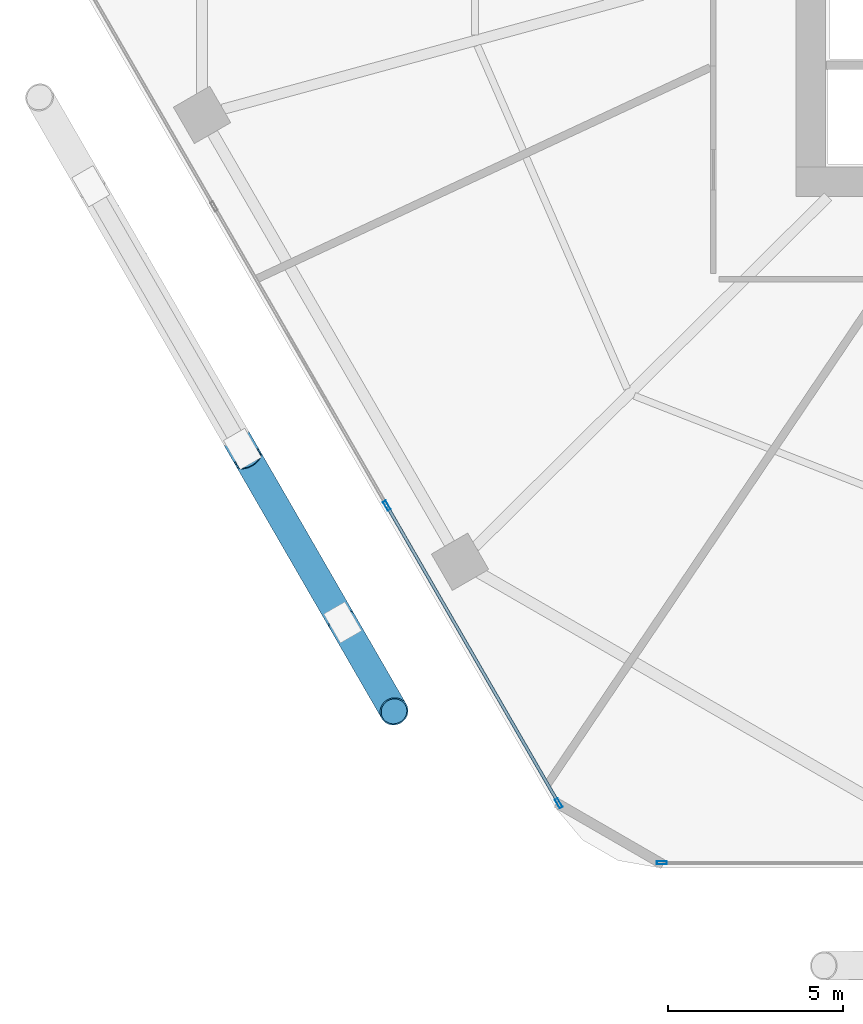
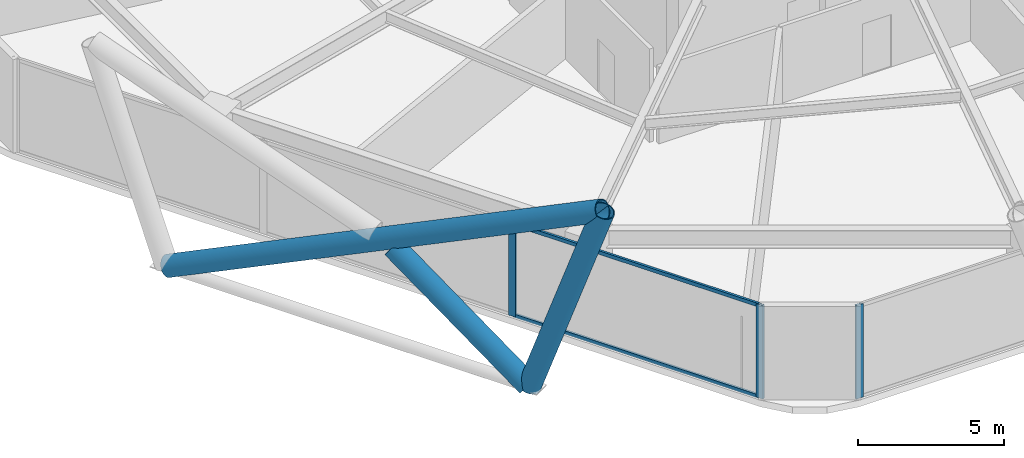
# One storey, part 2 of 28: 8 members, 2 elements without a shape of their own.
"""IFC4 building model written with IfcOpenShell, lengths in metres."""

from ifc_helpers import new_model, si_unit, direction, frame, origin, origin_2d, place, context, subcontext, project, spatial, hollow_rectangle, hollow_circle, extrude, material, material_profile, profile_set, type_object, element, aggregate, save


model = new_model("IFC4")

# Units and contexts
model_context = context("Model", 3, precision=1e-05, world=origin(), true_north=direction((0.0, 1.0)))
body_context = subcontext(model_context, "Body", "Model", "MODEL_VIEW")
ifc_project = project(units=[si_unit("LENGTHUNIT", "METRE"), si_unit("AREAUNIT", "SQUARE_METRE"), si_unit("VOLUMEUNIT", "CUBIC_METRE"), si_unit("PLANEANGLEUNIT", "RADIAN"), si_unit("MASSUNIT", "GRAM", prefix="KILO")], contexts=[model_context])

# Site, building, storey
site_placement = place(None, origin())
site = spatial("IfcSite", under=ifc_project, at=site_placement, CompositionType="ELEMENT")
building_placement = place(site_placement, origin())
building = spatial("IfcBuilding", under=site, at=building_placement, Name="Zuhravey Tower", CompositionType="ELEMENT")
storey_placement = place(building_placement, frame((0.0, 0.0, 49.800048828125)))
storey = spatial("IfcBuildingStorey", under=building, at=storey_placement, Name="L12", CompositionType="ELEMENT", Elevation=49.800048828125)

# Curtain wall, member
ifc_material_1 = material(Name="Thermally broken anodised aluminium", Category="aluminium")
curtain_wall_type = type_object("IfcCurtainWallType", Name="School Low-E Unitised Curtain Wall CW1", PredefinedType="NOTDEFINED", material=ifc_material_1)
curtain_wall_1_placement = place(storey_placement, origin())
curtain_wall_1 = element("IfcCurtainWall", 1, at=curtain_wall_1_placement, inside=storey, type_object=curtain_wall_type, Name="L12 CW1 CW-L12-F5-1", PredefinedType="NOTDEFINED")
ifc_material_2 = material(Name="Anodised aluminium", Category="aluminium")
ifc_material_profile_1 = material_profile(ifc_material_2, hollow_rectangle(XDim=0.090087890625, YDim=0.284912109375, WallThickness=0.0048828125, at=origin_2d()), Name="ALU-RHS-90x285x5")
ifc_profile_set_1 = profile_set([ifc_material_profile_1], Name="Anodised aluminium")
member_type_1 = type_object("IfcMemberType", Name="Curtain-Wall Mullion 90x180", PredefinedType="MULLION", material=ifc_profile_set_1)
member_1_placement = place(storey_placement, frame((21.24560546875, 3.04150390625, 0.0), z_axis=(0.0, 0.0, 1.0), x_axis=(0.0, -1.0, 0.0)))
member_1 = element("IfcMember", 2, at=member_1_placement, type_object=member_type_1, Name="CW1 mullion 4", PredefinedType="MULLION", context=body_context, shape_type="SweptSolid", body=[
    extrude(hollow_rectangle(XDim=0.090087890625, YDim=0.284912109375, WallThickness=0.0048828125, at=origin_2d()), origin(), (0.0, 0.0, 1.0), 3.919921875),
])
aggregate(curtain_wall_1, [member_1])

# Curtain wall, members
curtain_wall_2_placement = place(storey_placement, origin())
curtain_wall_2 = element("IfcCurtainWall", 3, at=curtain_wall_2_placement, inside=storey, type_object=curtain_wall_type, Name="L12 CW1 CW-L12-F4-1", PredefinedType="NOTDEFINED")
member_2_placement = place(storey_placement, frame((18.298583984375, 4.742919921875, 0.0), z_axis=(0.0, 0.0, 1.0), x_axis=(-0.86602552265, -0.499999794119, 0.0)))
member_2 = element("IfcMember", 4, at=member_2_placement, type_object=member_type_1, Name="CW1 mullion 1", PredefinedType="MULLION", context=body_context, shape_type="SweptSolid", body=[
    extrude(hollow_rectangle(XDim=0.090087890625, YDim=0.284912109375, WallThickness=0.0048828125, at=origin_2d()), origin(), (0.0, 0.0, 1.0), 3.919921875),
])
member_3_placement = place(storey_placement, frame((13.387939453125, 13.24853515625, 0.0), z_axis=(0.0, 0.0, 1.0), x_axis=(-0.86602552265, -0.499999794119, 0.0)))
member_3 = element("IfcMember", 5, at=member_3_placement, type_object=member_type_1, Name="CW1 mullion 2", PredefinedType="MULLION", context=body_context, shape_type="SweptSolid", body=[
    extrude(hollow_rectangle(XDim=0.090087890625, YDim=0.284912109375, WallThickness=0.0048828125, at=origin_2d()), origin(), (0.0, 0.0, 1.0), 3.919921875),
])
ifc_material_profile_2 = material_profile(ifc_material_2, hollow_rectangle(XDim=0.090087890625, YDim=0.14990234375, WallThickness=0.0048828125, at=origin_2d()), Name="ALU-RHS-90x150x5")
ifc_profile_set_2 = profile_set([ifc_material_profile_2], Name="Anodised aluminium")
member_type_2 = type_object("IfcMemberType", Name="Curtain-Wall Transom 90x150", PredefinedType="USERDEFINED", material=ifc_profile_set_2)
member_4_placement = place(storey_placement, frame((18.27587890625, 4.781982421875, 0.044921875), z_axis=(-0.499989576763, 0.86603142156, 0.0), x_axis=(-0.86603142156, -0.499989576763, 0.0)))
member_4 = element("IfcMember", 6, at=member_4_placement, type_object=member_type_2, Name="CW1 transom 1.1", ObjectType="TRANSOM", PredefinedType="USERDEFINED", context=body_context, shape_type="SweptSolid", body=[
    extrude(hollow_rectangle(XDim=0.090087890625, YDim=0.14990234375, WallThickness=0.0048828125, at=origin_2d()), origin(), (0.0, 0.0, 1.0), 9.731201171875),
])
member_5_placement = place(storey_placement, frame((18.27587890625, 4.781982421875, 3.875), z_axis=(-0.499989576763, 0.86603142156, 0.0), x_axis=(-0.86603142156, -0.499989576763, 0.0)))
member_5 = element("IfcMember", 7, at=member_5_placement, type_object=member_type_2, Name="CW1 transom 1.2", ObjectType="TRANSOM", PredefinedType="USERDEFINED", context=body_context, shape_type="SweptSolid", body=[
    extrude(hollow_rectangle(XDim=0.090087890625, YDim=0.14990234375, WallThickness=0.0048828125, at=origin_2d()), origin(), (0.0, 0.0, 1.0), 9.731201171875),
])
aggregate(curtain_wall_2, [member_2, member_3, member_4, member_5])

# Members
ifc_material_3 = material(Name="Steel SM460", Category="steel")
ifc_material_profile_3 = material_profile(ifc_material_3, hollow_circle(Radius=0.406494140625, WallThickness=0.035888671875, at=origin_2d()), Name="CHS-812.8x36")
ifc_profile_set_3 = profile_set([ifc_material_profile_3], Name="Steel SM460")
member_type_3 = type_object("IfcMemberType", Name="Exoskeleton Zone 1 Diagrid CHS813x36", PredefinedType="BRACE", material=ifc_profile_set_3)
member_6_placement = place(storey_placement, frame((4.956787109375, 22.33154296875, -0.47216796875), z_axis=(0.449930136784, -0.779308000818, 0.436167298034), x_axis=(0.866027110715, 0.499997043497, 0.0)))
element("IfcMember", 8, at=member_6_placement, inside=storey, type_object=member_type_3, Name="L12 Face 4 Diagrid Brace 2", PredefinedType="BRACE", context=body_context, shape_type="SweptSolid", body=[
    extrude(hollow_circle(Radius=0.406494140625, WallThickness=0.035888671875, at=origin_2d()), origin(), (0.0, 0.0, 1.0), 19.158203125),
])
member_7_placement = place(storey_placement, frame((12.1318359375, 9.904052734375, -0.47216796875), z_axis=(0.165303015494, -0.286350594813, 0.943757516483), x_axis=(0.866053660865, 0.499951054106, 0.0)))
element("IfcMember", 9, at=member_7_placement, inside=storey, type_object=member_type_3, Name="L12 Face 4 Diagrid Brace 4", PredefinedType="BRACE", context=body_context, shape_type="SweptSolid", body=[
    extrude(hollow_circle(Radius=0.406494140625, WallThickness=0.035888671875, at=origin_2d()), origin(), (0.0, 0.0, 1.0), 8.854248046875),
])
member_8_placement = place(storey_placement, frame((12.107666015625, 9.94580078125, -0.464111328125), z_axis=(-0.403092056741, 0.69816190232, 0.59168129254), x_axis=(-0.866021056018, -0.500007530476, 0.0)))
element("IfcMember", 10, at=member_8_placement, inside=storey, type_object=member_type_3, Name="L12 Face 4 Split Diagrid Brace 3A", PredefinedType="BRACE", context=body_context, shape_type="SweptSolid", body=[
    extrude(hollow_circle(Radius=0.406494140625, WallThickness=0.035888671875, at=origin_2d()), origin(), (0.0, 0.0, 1.0), 6.6513671875),
])

save(model, "model.ifc")
